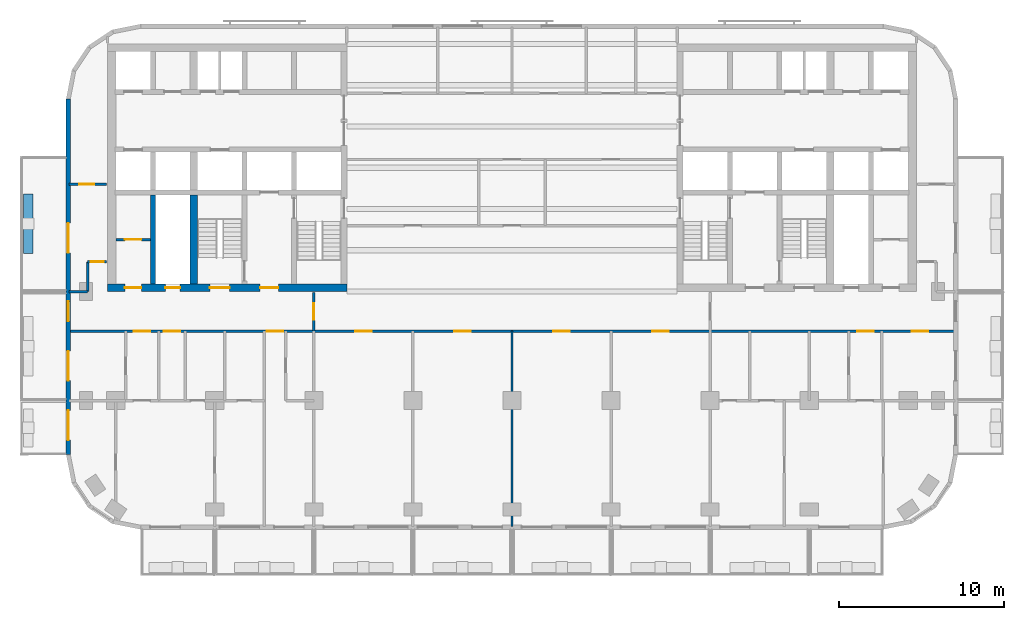
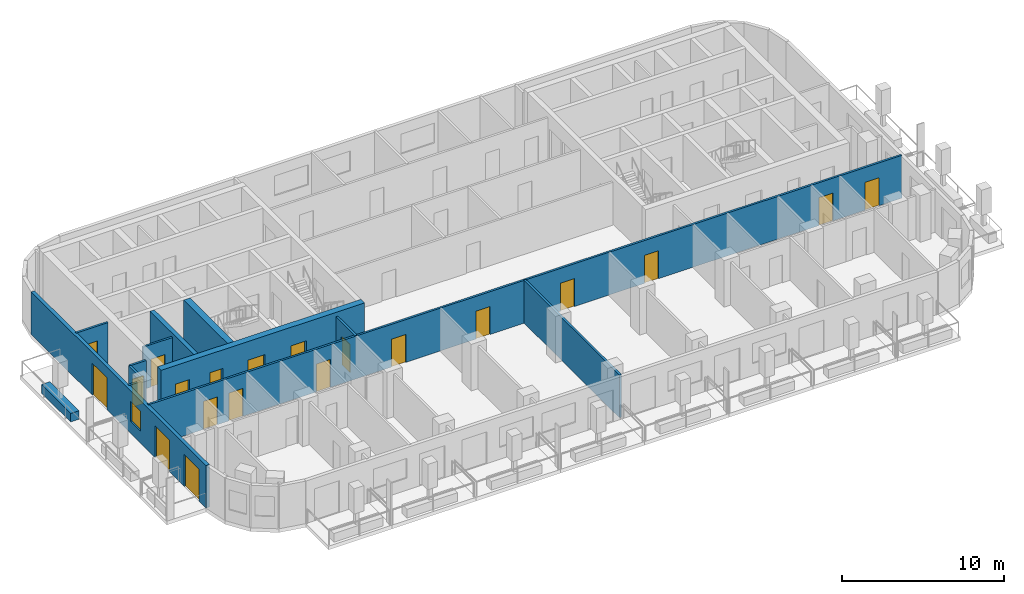
# One storey, part 3 of 11: 20 doors, 13 walls, 1 window, 21 openings.
"""IFC4 building model written with IfcOpenShell, lengths in metres."""

from ifc_helpers import new_model, si_unit, direction, frame, frame_2d, origin, place, context, subcontext, project, spatial, rectangle, extrude, material, layer, layer_set, type_object, element, fill, save


model = new_model("IFC4")

# Units and contexts
model_context = context("Model", 3, precision=1e-05, world=origin(), true_north=direction((0.0, 1.0)))
body_context = subcontext(model_context, "Body", "Model", "MODEL_VIEW")
ifc_project = project(units=[si_unit("LENGTHUNIT", "METRE"), si_unit("AREAUNIT", "SQUARE_METRE"), si_unit("VOLUMEUNIT", "CUBIC_METRE"), si_unit("PLANEANGLEUNIT", "RADIAN"), si_unit("MASSUNIT", "GRAM", prefix="KILO")], contexts=[model_context])

# Site, building, storey
site_placement = place(None, origin())
site = spatial("IfcSite", under=ifc_project, at=site_placement, CompositionType="ELEMENT")
building_placement = place(site_placement, origin())
building = spatial("IfcBuilding", under=site, at=building_placement, Name="Torana Hotel and Residences", CompositionType="ELEMENT")
storey_placement = place(building_placement, frame((0.0, 0.0, 243.10009765625)))
storey = spatial("IfcBuildingStorey", under=building, at=storey_placement, Name="L64", CompositionType="ELEMENT", Elevation=243.10009765625)

# Wall
ifc_material_1 = material(Name="Concrete C70/85", Category="concrete")
ifc_layer_1 = layer(ifc_material_1, 0.300048828125)
ifc_layer_set_1 = layer_set([ifc_layer_1], Name="CORE WALL 300 C70/85")
wall_type_1 = type_object("IfcWallType", Name="CORE WALL 300 C70/85", PredefinedType="SHEAR", material=ifc_layer_set_1)
wall_1_placement = place(storey_placement, frame((-21.75, -14.550048828125, 0.0), z_axis=(0.0, 0.0, 1.0), x_axis=(0.0, 1.0, 0.0)))
element("IfcWall", 1, at=wall_1_placement, inside=storey, type_object=wall_type_1, Name="Core wall W mm-band", PredefinedType="SHEAR", context=body_context, shape_type="SweptSolid", body=[
    extrude(rectangle(XDim=5.400146484375, YDim=0.300048828125, at=frame_2d((2.7001953125, 0.0))), origin(), (0.0, 0.0, 1.0), 3.5),
])

# Wall, openings, doors
ifc_material_2 = material(Name="Concrete C70/85", Category="concrete")
ifc_layer_2 = layer(ifc_material_2, 0.449951171875)
ifc_layer_set_2 = layer_set([ifc_layer_2], Name="CORE WALL 450 C70/85")
wall_type_2 = type_object("IfcWallType", Name="CORE WALL 450 C70/85", PredefinedType="SHEAR", material=ifc_layer_set_2)
wall_2_placement = place(storey_placement, frame((-24.5, -14.77490234375, 0.0), z_axis=(0.0, 0.0, 1.0), x_axis=(1.0, 0.0, 0.0)))
wall_2 = element("IfcWall", 2, at=wall_2_placement, inside=storey, type_object=wall_type_2, Name="Core wall W front", PredefinedType="SHEAR", context=body_context, shape_type="SweptSolid", body=[
    extrude(rectangle(XDim=14.5, YDim=0.449951171875, at=frame_2d((7.25, 0.0))), origin(), (0.0, 0.0, 1.0), 3.5),
])
opening_1_placement = place(wall_2_placement, frame((6.199951171875, 0.0, 0.0)))
opening_1 = element("IfcOpeningElement", 3, at=opening_1_placement, cuts=wall_2, Name="Opening L64-04", PredefinedType="OPENING", context=body_context, shape_type="SweptSolid", body=[
    extrude(rectangle(XDim=1.199951171875, YDim=2.10009765625, at=frame_2d((0.60009765625, 1.050048828125))), frame((0.0, 0.23486328125, 0.0), z_axis=(0.0, -1.0, 0.0), x_axis=(1.0, 0.0, 0.0)), (0.0, 0.0, 1.0), 0.469970703125),
])
opening_2_placement = place(wall_2_placement, frame((9.25, 0.0, 0.0)))
opening_2 = element("IfcOpeningElement", 4, at=opening_2_placement, cuts=wall_2, Name="Opening L64-05", PredefinedType="OPENING", context=body_context, shape_type="SweptSolid", body=[
    extrude(rectangle(XDim=1.10009765625, YDim=2.10009765625, at=frame_2d((0.550048828125, 1.050048828125))), frame((0.0, 0.23486328125, 0.0), z_axis=(0.0, -1.0, 0.0), x_axis=(1.0, 0.0, 0.0)), (0.0, 0.0, 1.0), 0.469970703125),
])
opening_3_placement = place(wall_2_placement, frame((3.5, 0.0, 0.0)))
opening_3 = element("IfcOpeningElement", 5, at=opening_3_placement, cuts=wall_2, Name="Opening L64-06", PredefinedType="OPENING", context=body_context, shape_type="SweptSolid", body=[
    extrude(rectangle(XDim=0.89990234375, YDim=2.10009765625, at=frame_2d((0.449951171875, 1.050048828125))), frame((0.0, 0.23486328125, 0.0), z_axis=(0.0, -1.0, 0.0), x_axis=(1.0, 0.0, 0.0)), (0.0, 0.0, 1.0), 0.469970703125),
])
opening_4_placement = place(wall_2_placement, frame((1.050048828125, 0.0, 0.0)))
opening_4 = element("IfcOpeningElement", 6, at=opening_4_placement, cuts=wall_2, Name="Opening L64-07", PredefinedType="OPENING", context=body_context, shape_type="SweptSolid", body=[
    extrude(rectangle(XDim=1.0, YDim=2.10009765625, at=frame_2d((0.5, 1.050048828125))), frame((0.0, 0.23486328125, 0.0), z_axis=(0.0, -1.0, 0.0), x_axis=(1.0, 0.0, 0.0)), (0.0, 0.0, 1.0), 0.469970703125),
])
ifc_material_3 = material(Name="Steel S235", Category="steel")
door_type_1 = type_object("IfcDoorType", Name="CORE ROOM FIRE DOOR D14 1000x2100", OperationType="SINGLE_SWING_LEFT", PredefinedType="DOOR", material=ifc_material_3)
door_1_placement = place(opening_4_placement, origin())
door_1 = element("IfcDoor", 7, at=door_1_placement, inside=storey, type_object=door_type_1, Name="M-Room-B door L64", OperationType="SINGLE_SWING_RIGHT", OverallHeight=2.10009765625, OverallWidth=1.0, PredefinedType="DOOR", context=body_context, shape_type="SweptSolid", body=[
    extrude(rectangle(XDim=1.0, YDim=2.10009765625, at=frame_2d((0.5, 1.050048828125))), frame((0.0, 0.02490234375, 0.0), z_axis=(0.0, -1.0, 0.0), x_axis=(1.0, 0.0, 0.0)), (0.0, 0.0, 1.0), 0.050048828125),
])
fill(opening_4, door_1)
ifc_material_4 = material(Name="Steel S235", Category="steel")
door_type_2 = type_object("IfcDoorType", Name="FIRE-FIGHTING LOBBY DOOR D8 1100x2100", OperationType="SINGLE_SWING_LEFT", PredefinedType="DOOR", material=ifc_material_4)
door_2_placement = place(opening_2_placement, origin())
door_2 = element("IfcDoor", 8, at=door_2_placement, inside=storey, type_object=door_type_2, Name="FF-lobby door L64", OperationType="SINGLE_SWING_RIGHT", OverallHeight=2.10009765625, OverallWidth=1.10009765625, PredefinedType="DOOR", context=body_context, shape_type="SweptSolid", body=[
    extrude(rectangle(XDim=1.10009765625, YDim=2.10009765625, at=frame_2d((0.550048828125, 1.050048828125))), frame((0.0, 0.02490234375, 0.0), z_axis=(0.0, -1.0, 0.0), x_axis=(1.0, 0.0, 0.0)), (0.0, 0.0, 1.0), 0.050048828125),
])
fill(opening_2, door_2)
ifc_material_5 = material(Name="Steel S235", Category="steel")
door_type_3 = type_object("IfcDoorType", Name="RISER ACCESS DOOR D5 900x2100", OperationType="SINGLE_SWING_LEFT", PredefinedType="DOOR", material=ifc_material_5)
door_3_placement = place(opening_3_placement, origin())
door_3 = element("IfcDoor", 9, at=door_3_placement, inside=storey, type_object=door_type_3, Name="M-Riser door L64", OperationType="SINGLE_SWING_RIGHT", OverallHeight=2.10009765625, OverallWidth=0.89990234375, PredefinedType="DOOR", context=body_context, shape_type="SweptSolid", body=[
    extrude(rectangle(XDim=0.89990234375, YDim=2.10009765625, at=frame_2d((0.449951171875, 1.050048828125))), frame((0.0, 0.02490234375, 0.0), z_axis=(0.0, -1.0, 0.0), x_axis=(1.0, 0.0, 0.0)), (0.0, 0.0, 1.0), 0.050048828125),
])
fill(opening_3, door_3)
ifc_material_6 = material(Name="Steel S235", Category="steel")
door_type_4 = type_object("IfcDoorType", Name="STAIR FIRE DOOR D3 1200x2100", OperationType="SINGLE_SWING_LEFT", PredefinedType="DOOR", material=ifc_material_6)
door_4_placement = place(opening_1_placement, origin())
door_4 = element("IfcDoor", 10, at=door_4_placement, inside=storey, type_object=door_type_4, Name="Stair-B door L64", OperationType="SINGLE_SWING_RIGHT", OverallHeight=2.10009765625, OverallWidth=1.199951171875, PredefinedType="DOOR", context=body_context, shape_type="SweptSolid", body=[
    extrude(rectangle(XDim=1.199951171875, YDim=2.10009765625, at=frame_2d((0.60009765625, 1.050048828125))), frame((0.0, 0.02490234375, 0.0), z_axis=(0.0, -1.0, 0.0), x_axis=(1.0, 0.0, 0.0)), (0.0, 0.0, 1.0), 0.050048828125),
])
fill(opening_1, door_4)

# Wall
wall_3_placement = place(storey_placement, frame((-19.27490234375, -14.550048828125, 0.0), z_axis=(0.0, 0.0, 1.0), x_axis=(0.0, 1.0, 0.0)))
element("IfcWall", 11, at=wall_3_placement, inside=storey, type_object=wall_type_2, Name="Core wall W hm-band", PredefinedType="SHEAR", context=body_context, shape_type="SweptSolid", body=[
    extrude(rectangle(XDim=5.400146484375, YDim=0.449951171875, at=frame_2d((2.7001953125, 0.0))), origin(), (0.0, 0.0, 1.0), 3.5),
])

# Wall, openings, doors, window
ifc_material_7 = material(Name="Black aluminium composite panel", Category="aluminium")
ifc_layer_3 = layer(ifc_material_7, 0.00390625, Name="Cladding", Category="cladding")
ifc_material_8 = material(Name="Ventilated air cavity")
ifc_layer_4 = layer(ifc_material_8, 0.0400390625, Name="Ventilated cavity", Category="cavity")
ifc_material_9 = material(Name="Mineral wool insulation")
ifc_layer_5 = layer(ifc_material_9, 0.090087890625, Name="Insulation", Category="insulation")
ifc_material_10 = material(Name="Steel S280GD", Category="steel")
ifc_layer_6 = layer(ifc_material_10, 0.092041015625, Name="Steel stud frame", Category="structure")
ifc_material_11 = material(Name="Fire rated plasterboard")
ifc_layer_7 = layer(ifc_material_11, 0.011962890625, Name="Inner board", Category="finish")
ifc_layer_8 = layer(ifc_material_11, 0.011962890625, Name="Second board", Category="finish")
ifc_layer_set_3 = layer_set([ifc_layer_3, ifc_layer_4, ifc_layer_5, ifc_layer_6, ifc_layer_7, ifc_layer_8], Name="EW1 EXTERNAL WALL BLACK METAL CLAD 250")
wall_type_3 = type_object("IfcWallType", Name="EW1 EXTERNAL WALL BLACK METAL CLAD 250", PredefinedType="SOLIDWALL", material=ifc_layer_set_3)
wall_4_placement = place(storey_placement, frame((-26.875, -3.32470703125, 0.0), z_axis=(0.0, 0.0, 1.0), x_axis=(0.0, -1.0, 0.0)))
wall_4 = element("IfcWall", 12, at=wall_4_placement, inside=storey, type_object=wall_type_3, Name="External wall L64 e0.9", PredefinedType="SOLIDWALL", context=body_context, shape_type="SweptSolid", body=[
    extrude(rectangle(XDim=21.55078125, YDim=0.25, at=frame_2d((10.775390625, 0.0))), origin(), (0.0, 0.0, 1.0), 3.199951171875),
])
opening_5_placement = place(wall_4_placement, frame((7.525390625, 0.0, 0.0)))
opening_5 = element("IfcOpeningElement", 13, at=opening_5_placement, cuts=wall_4, Name="Opening L64-E12", PredefinedType="OPENING", context=body_context, shape_type="SweptSolid", body=[
    extrude(rectangle(XDim=1.800048828125, YDim=2.39990234375, at=frame_2d((0.89990234375, 1.199951171875))), frame((0.0, 0.135009765625, 0.0), z_axis=(0.0, -1.0, 0.0), x_axis=(1.0, 0.0, 0.0)), (0.0, 0.0, 1.0), 0.27001953125),
])
opening_6_placement = place(wall_4_placement, frame((12.275390625, 0.0, 0.89990234375)))
opening_6 = element("IfcOpeningElement", 14, at=opening_6_placement, cuts=wall_4, Name="Opening W5", PredefinedType="OPENING", context=body_context, shape_type="SweptSolid", body=[
    extrude(rectangle(XDim=1.199951171875, YDim=1.5, at=frame_2d((0.60009765625, 0.75))), frame((0.0, 0.135009765625, 0.0), z_axis=(0.0, -1.0, 0.0), x_axis=(1.0, 0.0, 0.0)), (0.0, 0.0, 1.0), 0.27001953125),
])
opening_7_placement = place(wall_4_placement, frame((15.275390625, 0.0, 0.0)))
opening_7 = element("IfcOpeningElement", 15, at=opening_7_placement, cuts=wall_4, Name="Opening L64-E13", PredefinedType="OPENING", context=body_context, shape_type="SweptSolid", body=[
    extrude(rectangle(XDim=1.800048828125, YDim=2.39990234375, at=frame_2d((0.89990234375, 1.199951171875))), frame((0.0, 0.135009765625, 0.0), z_axis=(0.0, -1.0, 0.0), x_axis=(1.0, 0.0, 0.0)), (0.0, 0.0, 1.0), 0.27001953125),
])
opening_8_placement = place(wall_4_placement, frame((18.87548828125, 0.0, 0.0)))
opening_8 = element("IfcOpeningElement", 16, at=opening_8_placement, cuts=wall_4, Name="Opening L64-E14", PredefinedType="OPENING", context=body_context, shape_type="SweptSolid", body=[
    extrude(rectangle(XDim=1.800048828125, YDim=2.39990234375, at=frame_2d((0.89990234375, 1.199951171875))), frame((0.0, 0.135009765625, 0.0), z_axis=(0.0, -1.0, 0.0), x_axis=(1.0, 0.0, 0.0)), (0.0, 0.0, 1.0), 0.27001953125),
])
ifc_material_12 = material(Name="Dark glass in black aluminium frame", Category="aluminium")
door_type_5 = type_object("IfcDoorType", Name="DB1 BALCONY DOOR 1800x2400", OperationType="DOUBLE_DOOR_SINGLE_SWING", PredefinedType="DOOR", material=ifc_material_12)
door_5_placement = place(opening_5_placement, origin())
door_5 = element("IfcDoor", 17, at=door_5_placement, inside=storey, type_object=door_type_5, Name="Balcony door L64", OperationType="DOUBLE_DOOR_SINGLE_SWING", OverallHeight=2.39990234375, OverallWidth=1.800048828125, PredefinedType="DOOR", context=body_context, shape_type="SweptSolid", body=[
    extrude(rectangle(XDim=1.800048828125, YDim=2.39990234375, at=frame_2d((0.89990234375, 1.199951171875))), frame((0.0, 0.02490234375, 0.0), z_axis=(0.0, -1.0, 0.0), x_axis=(1.0, 0.0, 0.0)), (0.0, 0.0, 1.0), 0.050048828125),
])
fill(opening_5, door_5)
door_6_placement = place(opening_7_placement, origin())
door_6 = element("IfcDoor", 18, at=door_6_placement, inside=storey, type_object=door_type_5, Name="Balcony door L64", OperationType="DOUBLE_DOOR_SINGLE_SWING", OverallHeight=2.39990234375, OverallWidth=1.800048828125, PredefinedType="DOOR", context=body_context, shape_type="SweptSolid", body=[
    extrude(rectangle(XDim=1.800048828125, YDim=2.39990234375, at=frame_2d((0.89990234375, 1.199951171875))), frame((0.0, 0.02490234375, 0.0), z_axis=(0.0, -1.0, 0.0), x_axis=(1.0, 0.0, 0.0)), (0.0, 0.0, 1.0), 0.050048828125),
])
fill(opening_7, door_6)
door_7_placement = place(opening_8_placement, origin())
door_7 = element("IfcDoor", 19, at=door_7_placement, inside=storey, type_object=door_type_5, Name="Balcony door L64", OperationType="DOUBLE_DOOR_SINGLE_SWING", OverallHeight=2.39990234375, OverallWidth=1.800048828125, PredefinedType="DOOR", context=body_context, shape_type="SweptSolid", body=[
    extrude(rectangle(XDim=1.800048828125, YDim=2.39990234375, at=frame_2d((0.89990234375, 1.199951171875))), frame((0.0, 0.02490234375, 0.0), z_axis=(0.0, -1.0, 0.0), x_axis=(1.0, 0.0, 0.0)), (0.0, 0.0, 1.0), 0.050048828125),
])
fill(opening_8, door_7)
ifc_material_13 = material(Name="Dark glass in black aluminium frame", Category="aluminium")
window_type = type_object("IfcWindowType", Name="W5 CORNER FACET WINDOW 1200x1500", PartitioningType="SINGLE_PANEL", PredefinedType="WINDOW", material=ifc_material_13)
window_placement = place(opening_6_placement, origin())
window = element("IfcWindow", 20, at=window_placement, inside=storey, type_object=window_type, Name="Window L64", OverallHeight=1.5, OverallWidth=1.199951171875, PartitioningType="SINGLE_PANEL", PredefinedType="WINDOW", context=body_context, shape_type="SweptSolid", body=[
    extrude(rectangle(XDim=1.199951171875, YDim=1.5, at=frame_2d((0.60009765625, 0.75))), frame((0.0, 0.030029296875, 0.0), z_axis=(0.0, -1.0, 0.0), x_axis=(1.0, 0.0, 0.0)), (0.0, 0.0, 1.0), 0.06005859375),
])
fill(opening_6, window)

# Wall, opening, door
ifc_material_14 = material(Name="Gypsum plaster")
ifc_layer_9 = layer(ifc_material_14, 0.014892578125, Name="Plaster", Category="finish")
ifc_material_15 = material(Name="Concrete blockwork", Category="masonry")
ifc_layer_10 = layer(ifc_material_15, 0.1201171875, Name="Blockwork", Category="structure")
ifc_layer_11 = layer(ifc_material_14, 0.014892578125, Name="Plaster", Category="finish")
ifc_layer_set_4 = layer_set([ifc_layer_9, ifc_layer_10, ifc_layer_11], Name="FIRE PARTITION 150 BLOCKWORK")
wall_type_4 = type_object("IfcWallType", Name="FIRE PARTITION 150 BLOCKWORK", PredefinedType="PARTITIONING", material=ifc_layer_set_4)
wall_5_placement = place(storey_placement, frame((-24.0, -11.85009765625, 0.0), z_axis=(0.0, 0.0, 1.0), x_axis=(1.0, 0.0, 0.0)))
wall_5 = element("IfcWall", 21, at=wall_5_placement, inside=storey, type_object=wall_type_4, Name="Core partition L64", PredefinedType="PARTITIONING", context=body_context, shape_type="SweptSolid", body=[
    extrude(rectangle(XDim=2.10009765625, YDim=0.14990234375, at=frame_2d((1.050048828125, 0.0))), origin(), (0.0, 0.0, 1.0), 3.199951171875),
])
opening_9_placement = place(wall_5_placement, frame((0.550048828125, 0.0, 0.0)))
opening_9 = element("IfcOpeningElement", 22, at=opening_9_placement, cuts=wall_5, Name="Opening L64-25", PredefinedType="OPENING", context=body_context, shape_type="SweptSolid", body=[
    extrude(rectangle(XDim=1.0, YDim=2.10009765625, at=frame_2d((0.5, 1.050048828125))), frame((0.0, 0.0849609375, 0.0), z_axis=(0.0, -1.0, 0.0), x_axis=(1.0, 0.0, 0.0)), (0.0, 0.0, 1.0), 0.169921875),
])
door_8_placement = place(opening_9_placement, origin())
door_8 = element("IfcDoor", 23, at=door_8_placement, inside=storey, type_object=door_type_1, Name="Plant room door L64", OperationType="SINGLE_SWING_RIGHT", OverallHeight=2.10009765625, OverallWidth=1.0, PredefinedType="DOOR", context=body_context, shape_type="SweptSolid", body=[
    extrude(rectangle(XDim=1.0, YDim=2.10009765625, at=frame_2d((0.5, 1.050048828125))), frame((0.0, 0.02490234375, 0.0), z_axis=(0.0, -1.0, 0.0), x_axis=(1.0, 0.0, 0.0)), (0.0, 0.0, 1.0), 0.050048828125),
])
fill(opening_9, door_8)

wall_6_placement = place(storey_placement, frame((-12.0, -17.39990234375, 0.0), z_axis=(0.0, 0.0, 1.0), x_axis=(0.0, 1.0, 0.0)))
wall_6 = element("IfcWall", 24, at=wall_6_placement, inside=storey, type_object=wall_type_4, Name="Partition L64", PredefinedType="PARTITIONING", context=body_context, shape_type="SweptSolid", body=[
    extrude(rectangle(XDim=2.349853515625, YDim=0.14990234375, at=frame_2d((1.1748046875, 0.0))), origin(), (0.0, 0.0, 1.0), 3.219970703125),
])
opening_10_placement = place(wall_6_placement, frame((0.699951171875, 0.0, 0.0)))
opening_10 = element("IfcOpeningElement", 25, at=opening_10_placement, cuts=wall_6, Name="Opening L64-27", PredefinedType="OPENING", context=body_context, shape_type="SweptSolid", body=[
    extrude(rectangle(XDim=1.0, YDim=2.10009765625, at=frame_2d((0.5, 1.050048828125))), frame((0.0, 0.0849609375, 0.0), z_axis=(0.0, -1.0, 0.0), x_axis=(1.0, 0.0, 0.0)), (0.0, 0.0, 1.0), 0.169921875),
])
ifc_material_16 = material(Name="Steel S235", Category="steel")
door_type_6 = type_object("IfcDoorType", Name="ENTRY FIRE DOOR D6 1000x2100", OperationType="SINGLE_SWING_LEFT", PredefinedType="DOOR", material=ifc_material_16)
door_9_placement = place(opening_10_placement, origin())
door_9 = element("IfcDoor", 26, at=door_9_placement, inside=storey, type_object=door_type_6, Name="Door L64", OperationType="SINGLE_SWING_RIGHT", OverallHeight=2.10009765625, OverallWidth=1.0, PredefinedType="DOOR", context=body_context, shape_type="SweptSolid", body=[
    extrude(rectangle(XDim=1.0, YDim=2.10009765625, at=frame_2d((0.5, 1.050048828125))), frame((0.0, 0.02490234375, 0.0), z_axis=(0.0, -1.0, 0.0), x_axis=(1.0, 0.0, 0.0)), (0.0, 0.0, 1.0), 0.050048828125),
])
fill(opening_10, door_9)

# Wall
wall_7_placement = place(storey_placement, frame((-25.699951171875, -15.0, 0.0), z_axis=(0.0, 0.0, 1.0), x_axis=(0.0, 1.0, 0.0)))
element("IfcWall", 27, at=wall_7_placement, inside=storey, type_object=wall_type_4, Name="Partition L64", PredefinedType="PARTITIONING", context=body_context, shape_type="SweptSolid", body=[
    extrude(rectangle(XDim=1.800048828125, YDim=0.14990234375, at=frame_2d((0.89990234375, 0.0))), origin(), (0.0, 0.0, 1.0), 3.219970703125),
])

# Wall, openings, doors
wall_8_placement = place(storey_placement, frame((-26.820068359375, -17.39990234375, 0.0), z_axis=(0.0, 0.0, 1.0), x_axis=(1.0, 0.0, 0.0)))
wall_8 = element("IfcWall", 28, at=wall_8_placement, inside=storey, type_object=wall_type_4, Name="Partition L64", PredefinedType="PARTITIONING", context=body_context, shape_type="SweptSolid", body=[
    extrude(rectangle(XDim=53.64013671875, YDim=0.14990234375, at=frame_2d((26.820068359375, 0.0))), origin(), (0.0, 0.0, 1.0), 3.219970703125),
])
opening_11_placement = place(wall_8_placement, frame((11.969970703125, 0.0, 0.0)))
opening_11 = element("IfcOpeningElement", 29, at=opening_11_placement, cuts=wall_8, Name="Opening L64-28", PredefinedType="OPENING", context=body_context, shape_type="SweptSolid", body=[
    extrude(rectangle(XDim=1.0, YDim=2.10009765625, at=frame_2d((0.5, 1.050048828125))), frame((0.0, 0.0849609375, 0.0), z_axis=(0.0, -1.0, 0.0), x_axis=(1.0, 0.0, 0.0)), (0.0, 0.0, 1.0), 0.169921875),
])
opening_12_placement = place(wall_8_placement, frame((3.919921875, 0.0, 0.0)))
opening_12 = element("IfcOpeningElement", 30, at=opening_12_placement, cuts=wall_8, Name="Opening L64-29", PredefinedType="OPENING", context=body_context, shape_type="SweptSolid", body=[
    extrude(rectangle(XDim=1.0, YDim=2.10009765625, at=frame_2d((0.5, 1.050048828125))), frame((0.0, 0.0849609375, 0.0), z_axis=(0.0, -1.0, 0.0), x_axis=(1.0, 0.0, 0.0)), (0.0, 0.0, 1.0), 0.169921875),
])
opening_13_placement = place(wall_8_placement, frame((5.719970703125, 0.0, 0.0)))
opening_13 = element("IfcOpeningElement", 31, at=opening_13_placement, cuts=wall_8, Name="Opening L64-30", PredefinedType="OPENING", context=body_context, shape_type="SweptSolid", body=[
    extrude(rectangle(XDim=1.0, YDim=2.10009765625, at=frame_2d((0.5, 1.050048828125))), frame((0.0, 0.0849609375, 0.0), z_axis=(0.0, -1.0, 0.0), x_axis=(1.0, 0.0, 0.0)), (0.0, 0.0, 1.0), 0.169921875),
])
opening_14_placement = place(wall_8_placement, frame((47.719970703125, 0.0, 0.0)))
opening_14 = element("IfcOpeningElement", 32, at=opening_14_placement, cuts=wall_8, Name="Opening L64-33", PredefinedType="OPENING", context=body_context, shape_type="SweptSolid", body=[
    extrude(rectangle(XDim=1.0, YDim=2.10009765625, at=frame_2d((0.5, 1.050048828125))), frame((0.0, 0.0849609375, 0.0), z_axis=(0.0, -1.0, 0.0), x_axis=(1.0, 0.0, 0.0)), (0.0, 0.0, 1.0), 0.169921875),
])
opening_15_placement = place(wall_8_placement, frame((51.02001953125, 0.0, 0.0)))
opening_15 = element("IfcOpeningElement", 33, at=opening_15_placement, cuts=wall_8, Name="Opening L64-34", PredefinedType="OPENING", context=body_context, shape_type="SweptSolid", body=[
    extrude(rectangle(XDim=1.0, YDim=2.10009765625, at=frame_2d((0.5, 1.050048828125))), frame((0.0, 0.0849609375, 0.0), z_axis=(0.0, -1.0, 0.0), x_axis=(1.0, 0.0, 0.0)), (0.0, 0.0, 1.0), 0.169921875),
])
opening_16_placement = place(wall_8_placement, frame((17.320068359375, 0.0, 0.0)))
opening_16 = element("IfcOpeningElement", 34, at=opening_16_placement, cuts=wall_8, Name="Opening L64-37", PredefinedType="OPENING", context=body_context, shape_type="SweptSolid", body=[
    extrude(rectangle(XDim=1.0, YDim=2.10009765625, at=frame_2d((0.5, 1.050048828125))), frame((0.0, 0.0849609375, 0.0), z_axis=(0.0, -1.0, 0.0), x_axis=(1.0, 0.0, 0.0)), (0.0, 0.0, 1.0), 0.169921875),
])
opening_17_placement = place(wall_8_placement, frame((23.320068359375, 0.0, 0.0)))
opening_17 = element("IfcOpeningElement", 35, at=opening_17_placement, cuts=wall_8, Name="Opening L64-38", PredefinedType="OPENING", context=body_context, shape_type="SweptSolid", body=[
    extrude(rectangle(XDim=1.0, YDim=2.10009765625, at=frame_2d((0.5, 1.050048828125))), frame((0.0, 0.0849609375, 0.0), z_axis=(0.0, -1.0, 0.0), x_axis=(1.0, 0.0, 0.0)), (0.0, 0.0, 1.0), 0.169921875),
])
opening_18_placement = place(wall_8_placement, frame((29.320068359375, 0.0, 0.0)))
opening_18 = element("IfcOpeningElement", 36, at=opening_18_placement, cuts=wall_8, Name="Opening L64-39", PredefinedType="OPENING", context=body_context, shape_type="SweptSolid", body=[
    extrude(rectangle(XDim=1.0, YDim=2.10009765625, at=frame_2d((0.5, 1.050048828125))), frame((0.0, 0.0849609375, 0.0), z_axis=(0.0, -1.0, 0.0), x_axis=(1.0, 0.0, 0.0)), (0.0, 0.0, 1.0), 0.169921875),
])
opening_19_placement = place(wall_8_placement, frame((35.320068359375, 0.0, 0.0)))
opening_19 = element("IfcOpeningElement", 37, at=opening_19_placement, cuts=wall_8, Name="Opening L64-40", PredefinedType="OPENING", context=body_context, shape_type="SweptSolid", body=[
    extrude(rectangle(XDim=1.0, YDim=2.10009765625, at=frame_2d((0.5, 1.050048828125))), frame((0.0, 0.0849609375, 0.0), z_axis=(0.0, -1.0, 0.0), x_axis=(1.0, 0.0, 0.0)), (0.0, 0.0, 1.0), 0.169921875),
])
door_10_placement = place(opening_11_placement, frame((0.5, 0.0, 0.0), z_axis=(0.0, 0.0, 1.0), x_axis=(-1.0, 0.0, 0.0)))
door_10 = element("IfcDoor", 38, at=door_10_placement, inside=storey, type_object=door_type_6, Name="Door L64", OperationType="SINGLE_SWING_LEFT", OverallHeight=2.10009765625, OverallWidth=1.0, PredefinedType="DOOR", context=body_context, shape_type="SweptSolid", body=[
    extrude(rectangle(XDim=1.0, YDim=2.10009765625, at=frame_2d((0.0, 1.050048828125))), frame((0.0, -0.02490234375, 0.0), z_axis=(0.0, 1.0, 0.0), x_axis=(-1.0, 0.0, 0.0)), (0.0, 0.0, 1.0), 0.050048828125),
])
fill(opening_11, door_10)
door_11_placement = place(opening_12_placement, origin())
door_11 = element("IfcDoor", 39, at=door_11_placement, inside=storey, type_object=door_type_6, Name="Door L64", OperationType="SINGLE_SWING_RIGHT", OverallHeight=2.10009765625, OverallWidth=1.0, PredefinedType="DOOR", context=body_context, shape_type="SweptSolid", body=[
    extrude(rectangle(XDim=1.0, YDim=2.10009765625, at=frame_2d((0.5, 1.050048828125))), frame((0.0, 0.02490234375, 0.0), z_axis=(0.0, -1.0, 0.0), x_axis=(1.0, 0.0, 0.0)), (0.0, 0.0, 1.0), 0.050048828125),
])
fill(opening_12, door_11)
door_12_placement = place(opening_13_placement, frame((0.5, 0.0, 0.0), z_axis=(0.0, 0.0, 1.0), x_axis=(-1.0, 0.0, 0.0)))
door_12 = element("IfcDoor", 40, at=door_12_placement, inside=storey, type_object=door_type_6, Name="Door L64", OperationType="SINGLE_SWING_LEFT", OverallHeight=2.10009765625, OverallWidth=1.0, PredefinedType="DOOR", context=body_context, shape_type="SweptSolid", body=[
    extrude(rectangle(XDim=1.0, YDim=2.10009765625, at=frame_2d((0.0, 1.050048828125))), frame((0.0, -0.02490234375, 0.0), z_axis=(0.0, 1.0, 0.0), x_axis=(-1.0, 0.0, 0.0)), (0.0, 0.0, 1.0), 0.050048828125),
])
fill(opening_13, door_12)
door_13_placement = place(opening_14_placement, origin())
door_13 = element("IfcDoor", 41, at=door_13_placement, inside=storey, type_object=door_type_6, Name="Door L64", OperationType="SINGLE_SWING_RIGHT", OverallHeight=2.10009765625, OverallWidth=1.0, PredefinedType="DOOR", context=body_context, shape_type="SweptSolid", body=[
    extrude(rectangle(XDim=1.0, YDim=2.10009765625, at=frame_2d((0.5, 1.050048828125))), frame((0.0, 0.02490234375, 0.0), z_axis=(0.0, -1.0, 0.0), x_axis=(1.0, 0.0, 0.0)), (0.0, 0.0, 1.0), 0.050048828125),
])
fill(opening_14, door_13)
door_14_placement = place(opening_15_placement, frame((0.5, 0.0, 0.0), z_axis=(0.0, 0.0, 1.0), x_axis=(-1.0, 0.0, 0.0)))
door_14 = element("IfcDoor", 42, at=door_14_placement, inside=storey, type_object=door_type_6, Name="Door L64", OperationType="SINGLE_SWING_LEFT", OverallHeight=2.10009765625, OverallWidth=1.0, PredefinedType="DOOR", context=body_context, shape_type="SweptSolid", body=[
    extrude(rectangle(XDim=1.0, YDim=2.10009765625, at=frame_2d((0.0, 1.050048828125))), frame((0.0, -0.02490234375, 0.0), z_axis=(0.0, 1.0, 0.0), x_axis=(-1.0, 0.0, 0.0)), (0.0, 0.0, 1.0), 0.050048828125),
])
fill(opening_15, door_14)
door_15_placement = place(opening_16_placement, frame((0.5, 0.0, 0.0), z_axis=(0.0, 0.0, 1.0), x_axis=(-1.0, 0.0, 0.0)))
door_15 = element("IfcDoor", 43, at=door_15_placement, inside=storey, type_object=door_type_6, Name="Door L64", OperationType="SINGLE_SWING_LEFT", OverallHeight=2.10009765625, OverallWidth=1.0, PredefinedType="DOOR", context=body_context, shape_type="SweptSolid", body=[
    extrude(rectangle(XDim=1.0, YDim=2.10009765625, at=frame_2d((0.0, 1.050048828125))), frame((0.0, -0.02490234375, 0.0), z_axis=(0.0, 1.0, 0.0), x_axis=(-1.0, 0.0, 0.0)), (0.0, 0.0, 1.0), 0.050048828125),
])
fill(opening_16, door_15)
door_16_placement = place(opening_17_placement, frame((0.5, 0.0, 0.0), z_axis=(0.0, 0.0, 1.0), x_axis=(-1.0, 0.0, 0.0)))
door_16 = element("IfcDoor", 44, at=door_16_placement, inside=storey, type_object=door_type_6, Name="Door L64", OperationType="SINGLE_SWING_LEFT", OverallHeight=2.10009765625, OverallWidth=1.0, PredefinedType="DOOR", context=body_context, shape_type="SweptSolid", body=[
    extrude(rectangle(XDim=1.0, YDim=2.10009765625, at=frame_2d((0.0, 1.050048828125))), frame((0.0, -0.02490234375, 0.0), z_axis=(0.0, 1.0, 0.0), x_axis=(-1.0, 0.0, 0.0)), (0.0, 0.0, 1.0), 0.050048828125),
])
fill(opening_17, door_16)
door_17_placement = place(opening_18_placement, frame((0.5, 0.0, 0.0), z_axis=(0.0, 0.0, 1.0), x_axis=(-1.0, 0.0, 0.0)))
door_17 = element("IfcDoor", 45, at=door_17_placement, inside=storey, type_object=door_type_6, Name="Door L64", OperationType="SINGLE_SWING_LEFT", OverallHeight=2.10009765625, OverallWidth=1.0, PredefinedType="DOOR", context=body_context, shape_type="SweptSolid", body=[
    extrude(rectangle(XDim=1.0, YDim=2.10009765625, at=frame_2d((0.0, 1.050048828125))), frame((0.0, -0.02490234375, 0.0), z_axis=(0.0, 1.0, 0.0), x_axis=(-1.0, 0.0, 0.0)), (0.0, 0.0, 1.0), 0.050048828125),
])
fill(opening_18, door_17)
door_18_placement = place(opening_19_placement, frame((0.5, 0.0, 0.0), z_axis=(0.0, 0.0, 1.0), x_axis=(-1.0, 0.0, 0.0)))
door_18 = element("IfcDoor", 46, at=door_18_placement, inside=storey, type_object=door_type_6, Name="Door L64", OperationType="SINGLE_SWING_LEFT", OverallHeight=2.10009765625, OverallWidth=1.0, PredefinedType="DOOR", context=body_context, shape_type="SweptSolid", body=[
    extrude(rectangle(XDim=1.0, YDim=2.10009765625, at=frame_2d((0.0, 1.050048828125))), frame((0.0, -0.02490234375, 0.0), z_axis=(0.0, 1.0, 0.0), x_axis=(-1.0, 0.0, 0.0)), (0.0, 0.0, 1.0), 0.050048828125),
])
fill(opening_19, door_18)

# Wall
wall_9_placement = place(storey_placement, frame((-26.820068359375, -15.0, 0.0), z_axis=(0.0, 0.0, 1.0), x_axis=(1.0, 0.0, 0.0)))
element("IfcWall", 47, at=wall_9_placement, inside=storey, type_object=wall_type_4, Name="Partition L64", PredefinedType="PARTITIONING", context=body_context, shape_type="SweptSolid", body=[
    extrude(rectangle(XDim=1.1201171875, YDim=0.14990234375, at=frame_2d((0.56005859375, 0.0))), origin(), (0.0, 0.0, 1.0), 3.219970703125),
])

# Wall, opening, door
wall_10_placement = place(storey_placement, frame((-25.699951171875, -13.199951171875, 0.0), z_axis=(0.0, 0.0, 1.0), x_axis=(1.0, 0.0, 0.0)))
wall_10 = element("IfcWall", 48, at=wall_10_placement, inside=storey, type_object=wall_type_4, Name="Partition L64", PredefinedType="PARTITIONING", context=body_context, shape_type="SweptSolid", body=[
    extrude(rectangle(XDim=1.14990234375, YDim=0.14990234375, at=frame_2d((0.574951171875, 0.0))), origin(), (0.0, 0.0, 1.0), 3.219970703125),
])
opening_20_placement = place(wall_10_placement, frame((0.175048828125, 0.0, 0.0)))
opening_20 = element("IfcOpeningElement", 49, at=opening_20_placement, cuts=wall_10, Name="Opening L64-31", PredefinedType="OPENING", context=body_context, shape_type="SweptSolid", body=[
    extrude(rectangle(XDim=0.800048828125, YDim=2.10009765625, at=frame_2d((0.39990234375, 1.050048828125))), frame((0.0, 0.0849609375, 0.0), z_axis=(0.0, -1.0, 0.0), x_axis=(1.0, 0.0, 0.0)), (0.0, 0.0, 1.0), 0.169921875),
])
ifc_material_17 = material(Name="Steel S235", Category="steel")
door_type_7 = type_object("IfcDoorType", Name="STORE FIRE DOOR D16 800x2100", OperationType="SINGLE_SWING_LEFT", PredefinedType="DOOR", material=ifc_material_17)
door_19_placement = place(opening_20_placement, origin())
door_19 = element("IfcDoor", 50, at=door_19_placement, inside=storey, type_object=door_type_7, Name="Door L64", OperationType="SINGLE_SWING_LEFT", OverallHeight=2.10009765625, OverallWidth=0.800048828125, PredefinedType="DOOR", context=body_context, shape_type="SweptSolid", body=[
    extrude(rectangle(XDim=0.800048828125, YDim=2.10009765625, at=frame_2d((0.39990234375, 1.050048828125))), frame((0.0, 0.02490234375, 0.0), z_axis=(0.0, -1.0, 0.0), x_axis=(1.0, 0.0, 0.0)), (0.0, 0.0, 1.0), 0.050048828125),
])
fill(opening_20, door_19)

# Wall
ifc_material_18 = material(Name="Gypsum plasterboard")
ifc_layer_12 = layer(ifc_material_18, 0.012451171875, Name="Plasterboard", Category="finish")
ifc_layer_13 = layer(ifc_material_18, 0.012451171875, Name="Plasterboard", Category="finish")
ifc_layer_14 = layer(ifc_material_10, 0.10009765625, Name="Steel studs with mineral wool", Category="insulation")
ifc_layer_15 = layer(ifc_material_18, 0.012451171875, Name="Plasterboard", Category="finish")
ifc_layer_16 = layer(ifc_material_18, 0.012451171875, Name="Plasterboard", Category="finish")
ifc_layer_set_5 = layer_set([ifc_layer_12, ifc_layer_13, ifc_layer_14, ifc_layer_15, ifc_layer_16], Name="PARTITION 150 PLASTERBOARD")
wall_type_5 = type_object("IfcWallType", Name="PARTITION 150 PLASTERBOARD", PredefinedType="PARTITIONING", material=ifc_layer_set_5)
wall_11_placement = place(storey_placement, frame((0.0, -29.219970703125, 0.0), z_axis=(0.0, 0.0, 1.0), x_axis=(0.0, 1.0, 0.0)))
element("IfcWall", 51, at=wall_11_placement, inside=storey, type_object=wall_type_5, Name="Partition L64", PredefinedType="PARTITIONING", context=body_context, shape_type="SweptSolid", body=[
    extrude(rectangle(XDim=11.820068359375, YDim=0.14990234375, at=frame_2d((5.91015625, 0.0))), origin(), (0.0, 0.0, 1.0), 3.219970703125),
])

# Wall, opening, door
wall_12_placement = place(storey_placement, frame((-26.820068359375, -8.5, 0.0), z_axis=(0.0, 0.0, 1.0), x_axis=(1.0, 0.0, 0.0)))
wall_12 = element("IfcWall", 52, at=wall_12_placement, inside=storey, type_object=wall_type_5, Name="Partition L64", PredefinedType="PARTITIONING", context=body_context, shape_type="SweptSolid", body=[
    extrude(rectangle(XDim=2.27001953125, YDim=0.14990234375, at=frame_2d((1.135009765625, 0.0))), origin(), (0.0, 0.0, 1.0), 3.219970703125),
])
opening_21_placement = place(wall_12_placement, frame((0.6201171875, 0.0, 0.0)))
opening_21 = element("IfcOpeningElement", 53, at=opening_21_placement, cuts=wall_12, Name="Opening L64-62", PredefinedType="OPENING", context=body_context, shape_type="SweptSolid", body=[
    extrude(rectangle(XDim=0.89990234375, YDim=2.10009765625, at=frame_2d((0.449951171875, 1.050048828125))), frame((0.0, 0.0849609375, 0.0), z_axis=(0.0, -1.0, 0.0), x_axis=(1.0, 0.0, 0.0)), (0.0, 0.0, 1.0), 0.169921875),
])
ifc_material_19 = material(Name="Timber door, oiled ash", Category="wood")
door_type_8 = type_object("IfcDoorType", Name="ROOM DOOR D7 900x2100", OperationType="SINGLE_SWING_LEFT", PredefinedType="DOOR", material=ifc_material_19)
door_20_placement = place(opening_21_placement, origin())
door_20 = element("IfcDoor", 54, at=door_20_placement, inside=storey, type_object=door_type_8, Name="Door L64", OperationType="SINGLE_SWING_RIGHT", OverallHeight=2.10009765625, OverallWidth=0.89990234375, PredefinedType="DOOR", context=body_context, shape_type="SweptSolid", body=[
    extrude(rectangle(XDim=0.89990234375, YDim=2.10009765625, at=frame_2d((0.449951171875, 1.050048828125))), frame((0.0, 0.02490234375, 0.0), z_axis=(0.0, -1.0, 0.0), x_axis=(1.0, 0.0, 0.0)), (0.0, 0.0, 1.0), 0.050048828125),
])
fill(opening_21, door_20)

# Wall
ifc_material_20 = material(Name="Concrete C40/50 precast", Category="concrete")
ifc_layer_17 = layer(ifc_material_20, 0.10009765625, Name="Planter shell", Category="structure")
ifc_material_21 = material(Name="Root resistant membrane")
ifc_layer_18 = layer(ifc_material_21, 0.00390625, Name="Waterproofing membrane", Category="membrane")
ifc_material_22 = material(Name="Drainage board with filter fleece")
ifc_layer_19 = layer(ifc_material_22, 0.02001953125, Name="Drainage board", Category="drainage")
ifc_material_23 = material(Name="Growing medium")
ifc_layer_20 = layer(ifc_material_23, 0.47607421875, Name="Planting substrate", Category="soil")
ifc_layer_set_6 = layer_set([ifc_layer_17, ifc_layer_18, ifc_layer_19, ifc_layer_20], Name="PL1 BALCONY PLANTER 600")
wall_type_6 = type_object("IfcWallType", Name="PL1 BALCONY PLANTER 600", PredefinedType="USERDEFINED", material=ifc_layer_set_6)
wall_13_placement = place(storey_placement, frame((-29.300048828125, -12.699951171875, 0.0), z_axis=(0.0, 0.0, 1.0), x_axis=(0.0, 1.0, 0.0)))
element("IfcWall", 55, at=wall_13_placement, inside=storey, type_object=wall_type_6, Name="Planter 11", ObjectType="PLANTER", PredefinedType="USERDEFINED", context=body_context, shape_type="SweptSolid", body=[
    extrude(rectangle(XDim=3.599853515625, YDim=0.60009765625, at=frame_2d((1.7998046875, 0.0))), origin(), (0.0, 0.0, 1.0), 0.64990234375),
])

save(model, "model.ifc")
